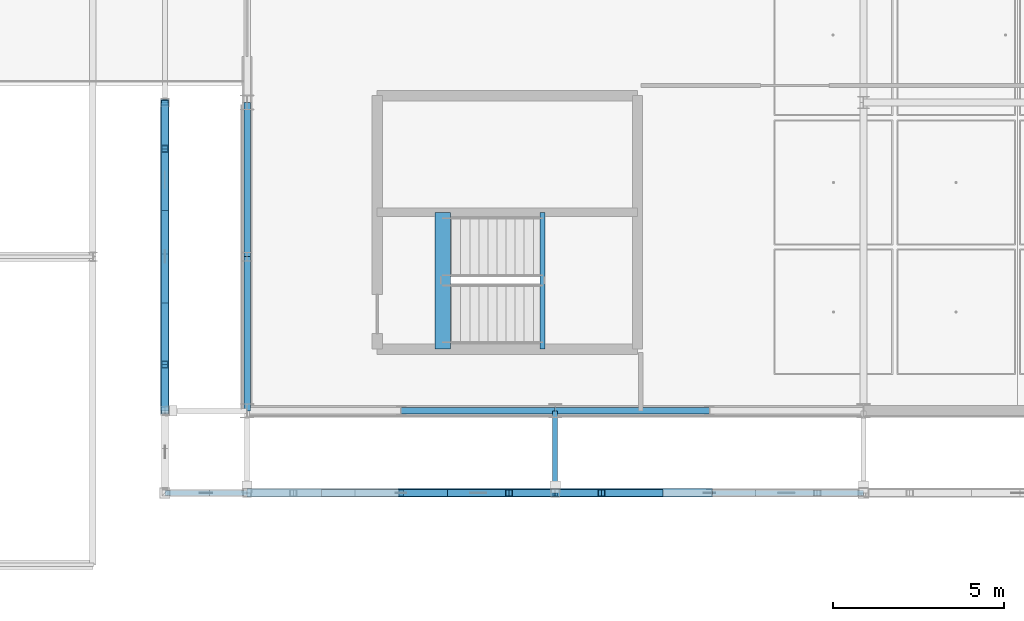
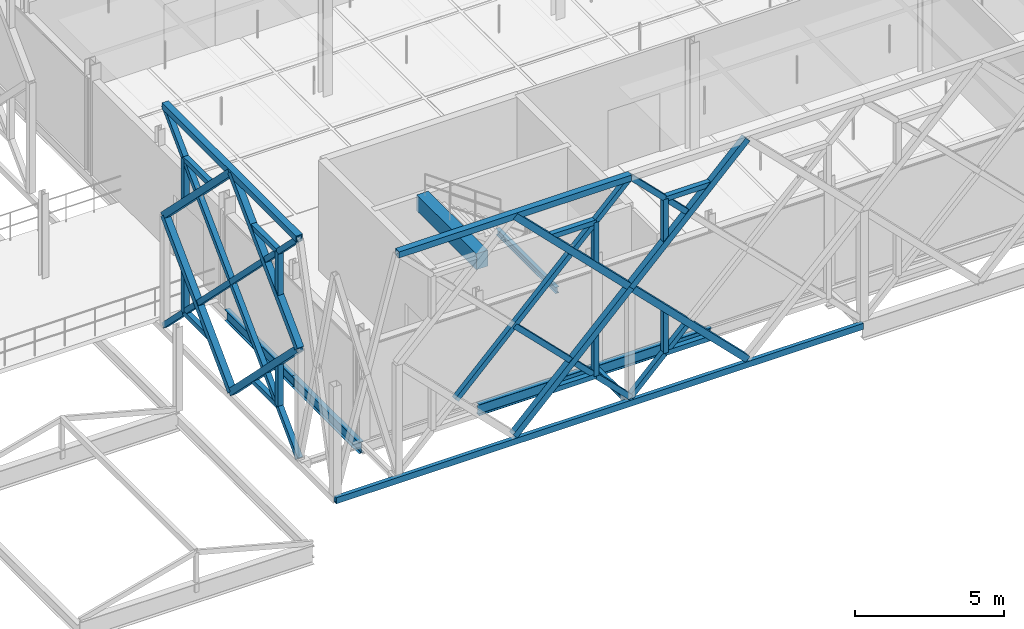
# One storey, part 21 of 140: 39 members, 8 beams.
"""IFC4 building model written with IfcOpenShell, lengths in metres."""

from ifc_helpers import new_model, si_unit, direction, frame, origin, origin_2d, place, context, subcontext, project, spatial, rectangle, hollow_rectangle, i_section, extrude, material, material_profile, profile_set, type_object, element, save


model = new_model("IFC4")

# Units and contexts
model_context = context("Model", 3, precision=1e-05, world=origin(), true_north=direction((0.0, 1.0)))
body_context = subcontext(model_context, "Body", "Model", "MODEL_VIEW")
ifc_project = project(units=[si_unit("LENGTHUNIT", "METRE"), si_unit("AREAUNIT", "SQUARE_METRE"), si_unit("VOLUMEUNIT", "CUBIC_METRE"), si_unit("PLANEANGLEUNIT", "RADIAN"), si_unit("MASSUNIT", "GRAM", prefix="KILO"), si_unit("THERMODYNAMICTEMPERATUREUNIT", "KELVIN"), si_unit("POWERUNIT", "WATT")], contexts=[model_context])

# Site, building, storey
site_placement = place(None, origin())
site = spatial("IfcSite", under=ifc_project, at=site_placement, CompositionType="ELEMENT")
building_placement = place(site_placement, origin())
building = spatial("IfcBuilding", under=site, at=building_placement, Name="Tallowbark Science Centre", CompositionType="ELEMENT")
storey_placement = place(building_placement, frame((0.0, 0.0, 9.89990234375)))
storey = spatial("IfcBuildingStorey", under=building, at=storey_placement, Name="L02", CompositionType="ELEMENT", Elevation=9.89990234375)

# Beams
ifc_material_1 = material(Name="Concrete Grade N40 (40 MPa)", Category="concrete")
ifc_material_profile_1 = material_profile(ifc_material_1, rectangle(XDim=0.449951171875, YDim=0.64990234375, at=origin_2d()), Name="RC450x650")
ifc_profile_set_1 = profile_set([ifc_material_profile_1], Name="Concrete Grade N40 (40 MPa)")
beam_type_1 = type_object("IfcBeamType", Name="BM-GB2-N40", PredefinedType="BEAM", material=ifc_profile_set_1)
beam_1_placement = place(storey_placement, frame((64.2099609375, 6.300048828125, 4.175048828125), z_axis=(0.0, 1.0, 0.0), x_axis=(-1.0, 0.0, 0.0)))
element("IfcBeam", 1, at=beam_1_placement, inside=storey, type_object=beam_type_1, Name="Stair ST-07 Landing Nosing Beam L02", PredefinedType="BEAM", context=body_context, shape_type="SweptSolid", body=[
    extrude(rectangle(XDim=0.449951171875, YDim=0.64990234375, at=origin_2d()), origin(), (0.0, 0.0, 1.0), 3.994873046875),
])
ifc_material_2 = material(Name="White Architectural Painted Steel Grade C350L0 (350 MPa)", Category="steel")
ifc_material_profile_2 = material_profile(ifc_material_2, i_section(OverallWidth=0.146484375, OverallDepth=0.256103515625, WebThickness=0.00634765625, FlangeThickness=0.010986328125, FilletRadius=0.0087890625, at=origin_2d()), Name="250UB37.3")
ifc_profile_set_2 = profile_set([ifc_material_profile_2], Name="White Architectural Painted Steel Grade C350L0 (350 MPa)")
beam_type_2 = type_object("IfcBeamType", Name="BM-OUT250", PredefinedType="BEAM", material=ifc_profile_set_2)
beam_2_placement = place(storey_placement, frame((67.5, 4.5, -0.25), z_axis=(0.0, -1.0, 0.0), x_axis=(1.0, 0.0, 0.0)))
element("IfcBeam", 2, at=beam_2_placement, inside=storey, type_object=beam_type_2, Name="Star Screen Outrigger Tie Beam S-21", PredefinedType="BEAM", context=body_context, shape_type="SweptSolid", body=[
    extrude(i_section(OverallWidth=0.146484375, OverallDepth=0.256103515625, WebThickness=0.00634765625, FlangeThickness=0.010986328125, FilletRadius=0.0087890625, at=origin_2d()), origin(), (0.0, 0.0, 1.0), 2.39990234375),
])
ifc_material_3 = material(Name="Structural Steel Grade 300PLUS (300 MPa)", Category="steel")
ifc_material_profile_3 = material_profile(ifc_material_3, i_section(OverallWidth=0.146484375, OverallDepth=0.256103515625, WebThickness=0.00634765625, FlangeThickness=0.010986328125, FilletRadius=0.0087890625, at=origin_2d()), Name="250UB37.3")
ifc_profile_set_3 = profile_set([ifc_material_profile_3], Name="Structural Steel Grade 300PLUS (300 MPa)")
beam_type_3 = type_object("IfcBeamType", Name="JST-UB250", PredefinedType="JOIST", material=ifc_profile_set_3)
beam_3_placement = place(storey_placement, frame((67.125, 6.300048828125, 1.922119140625), z_axis=(0.0, 1.0, 0.0), x_axis=(-1.0, 0.0, 0.0)))
element("IfcBeam", 3, at=beam_3_placement, inside=storey, type_object=beam_type_3, Name="Stair ST-07 Half-Landing Trimmer L02", PredefinedType="JOIST", context=body_context, shape_type="SweptSolid", body=[
    extrude(i_section(OverallWidth=0.146484375, OverallDepth=0.256103515625, WebThickness=0.00634765625, FlangeThickness=0.010986328125, FilletRadius=0.0087890625, at=origin_2d()), origin(), (0.0, 0.0, 1.0), 3.994873046875),
])

# Members
ifc_material_profile_4 = material_profile(ifc_material_2, hollow_rectangle(XDim=0.25, YDim=0.25, WallThickness=0.009033203125, at=origin_2d()), Name="250x250x9.0SHS")
ifc_profile_set_4 = profile_set([ifc_material_profile_4], Name="White Architectural Painted Steel Grade C350L0 (350 MPa)")
member_type_1 = type_object("IfcMemberType", Name="SCR-CHD200", PredefinedType="CHORD", material=ifc_profile_set_4)
member_1_placement = place(storey_placement, frame((58.5, 2.10009765625, 9.0), z_axis=(1.0, 0.0, 0.0), x_axis=(0.0, 1.0, 0.0)))
element("IfcMember", 4, at=member_1_placement, inside=storey, type_object=member_type_1, Name="Star Screen Frame Chord S-17", PredefinedType="CHORD", context=body_context, shape_type="SweptSolid", body=[
    extrude(hollow_rectangle(XDim=0.25, YDim=0.25, WallThickness=0.009033203125, at=origin_2d()), origin(), (0.0, 0.0, 1.0), 9.0),
])
for number, where, z_axis, x_axis, name in (
    (5, (63.0, 2.10009765625, 0.0), (0.707106781187, 0.0, 0.707106781187), (0.0, 1.0, 0.0), "Star Screen Octagram Diamond Chord S-17-1"),
    (6, (67.5, 2.10009765625, 4.5), (-0.707106781187, 0.0, 0.707106781187), (0.0, -1.0, 0.0), "Star Screen Octagram Diamond Chord S-17-2"),
    (7, (72.0, 2.10009765625, 9.0), (-0.707106781187, 0.0, -0.707106781187), (0.0, -1.0, 0.0), "Star Screen Octagram Diamond Chord S-19-3"),
    (8, (67.5, 2.10009765625, 4.5), (0.707106781187, 0.0, -0.707106781187), (0.0, 1.0, 0.0), "Star Screen Octagram Diamond Chord S-19-4"),
):
    element("IfcMember", number, at=place(storey_placement, frame(where, z_axis=z_axis, x_axis=x_axis)), inside=storey, type_object=member_type_1, Name=name, PredefinedType="CHORD", context=body_context, shape_type="SweptSolid", body=[
        extrude(hollow_rectangle(XDim=0.25, YDim=0.25, WallThickness=0.009033203125, at=origin_2d()), origin(), (0.0, 0.0, 1.0), 6.364013671875),
    ])
member_2_placement = place(storey_placement, frame((56.10009765625, 4.5, 9.0), z_axis=(0.0, 1.0, 0.0), x_axis=(-1.0, 0.0, 0.0)))
element("IfcMember", 9, at=member_2_placement, inside=storey, type_object=member_type_1, Name="Star Screen Frame Chord W-28", PredefinedType="CHORD", context=body_context, shape_type="SweptSolid", body=[
    extrude(hollow_rectangle(XDim=0.25, YDim=0.25, WallThickness=0.009033203125, at=origin_2d()), origin(), (0.0, 0.0, 1.0), 9.0),
])
for number, where, z_axis, x_axis, name in (
    (10, (56.10009765625, 9.0, 0.0), (0.0, 0.707106781187, 0.707106781187), (-1.0, 0.0, 0.0), "Star Screen Octagram Diamond Chord W-28-1"),
    (11, (56.10009765625, 13.5, 4.5), (0.0, -0.707106781187, 0.707106781187), (1.0, 0.0, 0.0), "Star Screen Octagram Diamond Chord W-28-2"),
    (12, (56.10009765625, 9.0, 9.0), (0.0, -0.707106781187, -0.707106781187), (1.0, 0.0, 0.0), "Star Screen Octagram Diamond Chord W-28-3"),
    (13, (56.10009765625, 4.5, 4.5), (0.0, 0.707106781187, -0.707106781187), (-1.0, 0.0, 0.0), "Star Screen Octagram Diamond Chord W-28-4"),
):
    element("IfcMember", number, at=place(storey_placement, frame(where, z_axis=z_axis, x_axis=x_axis)), inside=storey, type_object=member_type_1, Name=name, PredefinedType="CHORD", context=body_context, shape_type="SweptSolid", body=[
        extrude(hollow_rectangle(XDim=0.25, YDim=0.25, WallThickness=0.009033203125, at=origin_2d()), origin(), (0.0, 0.0, 1.0), 6.364013671875),
    ])
ifc_material_profile_5 = material_profile(ifc_material_2, hollow_rectangle(XDim=0.199951171875, YDim=0.199951171875, WallThickness=0.009033203125, at=origin_2d()), Name="200x200x9.0SHS")
ifc_profile_set_5 = profile_set([ifc_material_profile_5], Name="White Architectural Painted Steel Grade C350L0 (350 MPa)")
member_type_2 = type_object("IfcMemberType", Name="SCR-STAR139", PredefinedType="BRACE", material=ifc_profile_set_5)
member_3_placement = place(storey_placement, frame((60.75, 2.10009765625, 2.25), z_axis=(0.707106781187, 0.0, 0.707106781187), x_axis=(0.0, 1.0, 0.0)))
element("IfcMember", 14, at=member_3_placement, inside=storey, type_object=member_type_2, Name="Star Screen Continuous X-Diagonal D1M S-17", PredefinedType="BRACE", context=body_context, shape_type="SweptSolid", body=[
    extrude(hollow_rectangle(XDim=0.199951171875, YDim=0.199951171875, WallThickness=0.009033203125, at=origin_2d()), origin(), (0.0, 0.0, 1.0), 6.364013671875),
])
for number, where, z_axis, x_axis, name in (
    (15, (65.25, 2.10009765625, 6.75), (0.707106781187, 0.0, 0.707106781187), (0.0, 1.0, 0.0), "Star Screen Continuous X-Diagonal D1B S-17"),
    (16, (63.0, 2.10009765625, 4.5), (0.707106781187, 0.0, -0.707106781187), (0.0, 1.0, 0.0), "Star Screen Split X-Diagonal D2C S-17"),
    (17, (65.25, 2.10009765625, 2.25), (0.707106781187, 0.0, -0.707106781187), (0.0, 1.0, 0.0), "Star Screen Split X-Diagonal D2D S-17"),
    (18, (67.5, 2.10009765625, 0.0), (0.707106781187, 0.0, 0.707106781187), (0.0, 1.0, 0.0), "Star Screen Continuous X-Diagonal D1A S-19"),
    (19, (67.5, 2.10009765625, 9.0), (0.707106781187, 0.0, -0.707106781187), (0.0, 1.0, 0.0), "Star Screen Split X-Diagonal D2A S-19"),
    (20, (56.10009765625, 4.5, 0.0), (0.0, 0.707106781187, 0.707106781187), (-1.0, 0.0, 0.0), "Star Screen Continuous X-Diagonal D1A W-28"),
):
    element("IfcMember", number, at=place(storey_placement, frame(where, z_axis=z_axis, x_axis=x_axis)), inside=storey, type_object=member_type_2, Name=name, PredefinedType="BRACE", context=body_context, shape_type="SweptSolid", body=[
        extrude(hollow_rectangle(XDim=0.199951171875, YDim=0.199951171875, WallThickness=0.009033203125, at=origin_2d()), origin(), (0.0, 0.0, 1.0), 3.181884765625),
    ])
member_4_placement = place(storey_placement, frame((56.10009765625, 6.75, 2.25), z_axis=(0.0, 0.707106781187, 0.707106781187), x_axis=(-1.0, 0.0, 0.0)))
element("IfcMember", 21, at=member_4_placement, inside=storey, type_object=member_type_2, Name="Star Screen Continuous X-Diagonal D1M W-28", PredefinedType="BRACE", context=body_context, shape_type="SweptSolid", body=[
    extrude(hollow_rectangle(XDim=0.199951171875, YDim=0.199951171875, WallThickness=0.009033203125, at=origin_2d()), origin(), (0.0, 0.0, 1.0), 6.364013671875),
])
for number, where, z_axis, x_axis, name in (
    (22, (56.10009765625, 11.25, 6.75), (0.0, 0.707106781187, 0.707106781187), (-1.0, 0.0, 0.0), "Star Screen Continuous X-Diagonal D1B W-28"),
    (23, (56.10009765625, 4.5, 9.0), (0.0, 0.707106781187, -0.707106781187), (-1.0, 0.0, 0.0), "Star Screen Split X-Diagonal D2A W-28"),
    (24, (56.10009765625, 6.75, 6.75), (0.0, 0.707106781187, -0.707106781187), (-1.0, 0.0, 0.0), "Star Screen Split X-Diagonal D2B W-28"),
    (25, (56.10009765625, 9.0, 4.5), (0.0, 0.707106781187, -0.707106781187), (-1.0, 0.0, 0.0), "Star Screen Split X-Diagonal D2C W-28"),
    (26, (56.10009765625, 11.25, 2.25), (0.0, 0.707106781187, -0.707106781187), (-1.0, 0.0, 0.0), "Star Screen Split X-Diagonal D2D W-28"),
):
    element("IfcMember", number, at=place(storey_placement, frame(where, z_axis=z_axis, x_axis=x_axis)), inside=storey, type_object=member_type_2, Name=name, PredefinedType="BRACE", context=body_context, shape_type="SweptSolid", body=[
        extrude(hollow_rectangle(XDim=0.199951171875, YDim=0.199951171875, WallThickness=0.009033203125, at=origin_2d()), origin(), (0.0, 0.0, 1.0), 3.181884765625),
    ])
ifc_material_profile_6 = material_profile(ifc_material_2, hollow_rectangle(XDim=0.199951171875, YDim=0.199951171875, WallThickness=0.009033203125, at=origin_2d()), Name="200x200x9.0SHS")
ifc_profile_set_6 = profile_set([ifc_material_profile_6], Name="White Architectural Painted Steel Grade C350L0 (350 MPa)")
member_type_3 = type_object("IfcMemberType", Name="SCR-SUB150", PredefinedType="BRACE", material=ifc_profile_set_6)
member_5_placement = place(storey_placement, frame((66.14990234375, 2.10009765625, 1.35009765625), z_axis=(-1.0, 0.0, 0.0), x_axis=(0.0, -1.0, 0.0)))
element("IfcMember", 27, at=member_5_placement, inside=storey, type_object=member_type_3, Name="Star Screen Octagram Point Ray S-17-3", PredefinedType="BRACE", context=body_context, shape_type="SweptSolid", body=[
    extrude(hollow_rectangle(XDim=0.199951171875, YDim=0.199951171875, WallThickness=0.009033203125, at=origin_2d()), origin(), (0.0, 0.0, 1.0), 1.7998046875),
])
member_6_placement = place(storey_placement, frame((66.14990234375, 2.10009765625, 1.35009765625), z_axis=(0.0, 0.0, 1.0), x_axis=(1.0, 0.0, 0.0)))
element("IfcMember", 28, at=member_6_placement, inside=storey, type_object=member_type_3, Name="Star Screen Octagram Point Ray S-17-4", PredefinedType="BRACE", context=body_context, shape_type="SweptSolid", body=[
    extrude(hollow_rectangle(XDim=0.199951171875, YDim=0.199951171875, WallThickness=0.009033203125, at=origin_2d()), origin(), (0.0, 0.0, 1.0), 1.800048828125),
])
member_7_placement = place(storey_placement, frame((66.14990234375, 2.10009765625, 7.650146484375), z_axis=(-1.0, 0.0, 0.0), x_axis=(0.0, -1.0, 0.0)))
element("IfcMember", 29, at=member_7_placement, inside=storey, type_object=member_type_3, Name="Star Screen Octagram Point Ray S-17-5", PredefinedType="BRACE", context=body_context, shape_type="SweptSolid", body=[
    extrude(hollow_rectangle(XDim=0.199951171875, YDim=0.199951171875, WallThickness=0.009033203125, at=origin_2d()), origin(), (0.0, 0.0, 1.0), 1.7998046875),
])
member_8_placement = place(storey_placement, frame((66.14990234375, 2.10009765625, 7.650146484375), z_axis=(0.0, 0.0, -1.0), x_axis=(1.0, 0.0, 0.0)))
element("IfcMember", 30, at=member_8_placement, inside=storey, type_object=member_type_3, Name="Star Screen Octagram Point Ray S-17-6", PredefinedType="BRACE", context=body_context, shape_type="SweptSolid", body=[
    extrude(hollow_rectangle(XDim=0.199951171875, YDim=0.199951171875, WallThickness=0.009033203125, at=origin_2d()), origin(), (0.0, 0.0, 1.0), 1.800048828125),
])
member_9_placement = place(storey_placement, frame((68.85009765625, 2.10009765625, 1.35009765625), z_axis=(1.0, 0.0, 0.0), x_axis=(0.0, 1.0, 0.0)))
element("IfcMember", 31, at=member_9_placement, inside=storey, type_object=member_type_3, Name="Star Screen Octagram Point Ray S-19-1", PredefinedType="BRACE", context=body_context, shape_type="SweptSolid", body=[
    extrude(hollow_rectangle(XDim=0.199951171875, YDim=0.199951171875, WallThickness=0.009033203125, at=origin_2d()), origin(), (0.0, 0.0, 1.0), 1.7998046875),
])
member_10_placement = place(storey_placement, frame((68.85009765625, 2.10009765625, 1.35009765625), z_axis=(0.0, 0.0, 1.0), x_axis=(1.0, 0.0, 0.0)))
element("IfcMember", 32, at=member_10_placement, inside=storey, type_object=member_type_3, Name="Star Screen Octagram Point Ray S-19-2", PredefinedType="BRACE", context=body_context, shape_type="SweptSolid", body=[
    extrude(hollow_rectangle(XDim=0.199951171875, YDim=0.199951171875, WallThickness=0.009033203125, at=origin_2d()), origin(), (0.0, 0.0, 1.0), 1.800048828125),
])
member_11_placement = place(storey_placement, frame((68.85009765625, 2.10009765625, 7.650146484375), z_axis=(1.0, 0.0, 0.0), x_axis=(0.0, 1.0, 0.0)))
element("IfcMember", 33, at=member_11_placement, inside=storey, type_object=member_type_3, Name="Star Screen Octagram Point Ray S-19-7", PredefinedType="BRACE", context=body_context, shape_type="SweptSolid", body=[
    extrude(hollow_rectangle(XDim=0.199951171875, YDim=0.199951171875, WallThickness=0.009033203125, at=origin_2d()), origin(), (0.0, 0.0, 1.0), 1.7998046875),
])
member_12_placement = place(storey_placement, frame((68.85009765625, 2.10009765625, 7.650146484375), z_axis=(0.0, 0.0, -1.0), x_axis=(1.0, 0.0, 0.0)))
element("IfcMember", 34, at=member_12_placement, inside=storey, type_object=member_type_3, Name="Star Screen Octagram Point Ray S-19-8", PredefinedType="BRACE", context=body_context, shape_type="SweptSolid", body=[
    extrude(hollow_rectangle(XDim=0.199951171875, YDim=0.199951171875, WallThickness=0.009033203125, at=origin_2d()), origin(), (0.0, 0.0, 1.0), 1.800048828125),
])
member_13_placement = place(storey_placement, frame((56.10009765625, 5.85009765625, 1.35009765625), z_axis=(0.0, 1.0, 0.0), x_axis=(-1.0, 0.0, 0.0)))
element("IfcMember", 35, at=member_13_placement, inside=storey, type_object=member_type_3, Name="Star Screen Octagram Point Ray W-28-1", PredefinedType="BRACE", context=body_context, shape_type="SweptSolid", body=[
    extrude(hollow_rectangle(XDim=0.199951171875, YDim=0.199951171875, WallThickness=0.009033203125, at=origin_2d()), origin(), (0.0, 0.0, 1.0), 1.7998046875),
])
member_14_placement = place(storey_placement, frame((56.10009765625, 5.85009765625, 1.35009765625), z_axis=(0.0, 0.0, 1.0), x_axis=(1.0, 0.0, 0.0)))
element("IfcMember", 36, at=member_14_placement, inside=storey, type_object=member_type_3, Name="Star Screen Octagram Point Ray W-28-2", PredefinedType="BRACE", context=body_context, shape_type="SweptSolid", body=[
    extrude(hollow_rectangle(XDim=0.199951171875, YDim=0.199951171875, WallThickness=0.009033203125, at=origin_2d()), origin(), (0.0, 0.0, 1.0), 1.800048828125),
])
member_15_placement = place(storey_placement, frame((56.10009765625, 12.14990234375, 1.35009765625), z_axis=(0.0, -1.0, 0.0), x_axis=(1.0, 0.0, 0.0)))
element("IfcMember", 37, at=member_15_placement, inside=storey, type_object=member_type_3, Name="Star Screen Octagram Point Ray W-28-3", PredefinedType="BRACE", context=body_context, shape_type="SweptSolid", body=[
    extrude(hollow_rectangle(XDim=0.199951171875, YDim=0.199951171875, WallThickness=0.009033203125, at=origin_2d()), origin(), (0.0, 0.0, 1.0), 1.7998046875),
])
member_16_placement = place(storey_placement, frame((56.10009765625, 12.14990234375, 1.35009765625), z_axis=(0.0, 0.0, 1.0), x_axis=(1.0, 0.0, 0.0)))
element("IfcMember", 38, at=member_16_placement, inside=storey, type_object=member_type_3, Name="Star Screen Octagram Point Ray W-28-4", PredefinedType="BRACE", context=body_context, shape_type="SweptSolid", body=[
    extrude(hollow_rectangle(XDim=0.199951171875, YDim=0.199951171875, WallThickness=0.009033203125, at=origin_2d()), origin(), (0.0, 0.0, 1.0), 1.800048828125),
])
member_17_placement = place(storey_placement, frame((56.10009765625, 12.14990234375, 7.650146484375), z_axis=(0.0, -1.0, 0.0), x_axis=(1.0, 0.0, 0.0)))
element("IfcMember", 39, at=member_17_placement, inside=storey, type_object=member_type_3, Name="Star Screen Octagram Point Ray W-28-5", PredefinedType="BRACE", context=body_context, shape_type="SweptSolid", body=[
    extrude(hollow_rectangle(XDim=0.199951171875, YDim=0.199951171875, WallThickness=0.009033203125, at=origin_2d()), origin(), (0.0, 0.0, 1.0), 1.7998046875),
])
member_18_placement = place(storey_placement, frame((56.10009765625, 12.14990234375, 7.650146484375), z_axis=(0.0, 0.0, -1.0), x_axis=(1.0, 0.0, 0.0)))
element("IfcMember", 40, at=member_18_placement, inside=storey, type_object=member_type_3, Name="Star Screen Octagram Point Ray W-28-6", PredefinedType="BRACE", context=body_context, shape_type="SweptSolid", body=[
    extrude(hollow_rectangle(XDim=0.199951171875, YDim=0.199951171875, WallThickness=0.009033203125, at=origin_2d()), origin(), (0.0, 0.0, 1.0), 1.800048828125),
])
member_19_placement = place(storey_placement, frame((56.10009765625, 5.85009765625, 7.650146484375), z_axis=(0.0, 1.0, 0.0), x_axis=(-1.0, 0.0, 0.0)))
element("IfcMember", 41, at=member_19_placement, inside=storey, type_object=member_type_3, Name="Star Screen Octagram Point Ray W-28-7", PredefinedType="BRACE", context=body_context, shape_type="SweptSolid", body=[
    extrude(hollow_rectangle(XDim=0.199951171875, YDim=0.199951171875, WallThickness=0.009033203125, at=origin_2d()), origin(), (0.0, 0.0, 1.0), 1.7998046875),
])
member_20_placement = place(storey_placement, frame((56.10009765625, 5.85009765625, 7.650146484375), z_axis=(0.0, 0.0, -1.0), x_axis=(1.0, 0.0, 0.0)))
element("IfcMember", 42, at=member_20_placement, inside=storey, type_object=member_type_3, Name="Star Screen Octagram Point Ray W-28-8", PredefinedType="BRACE", context=body_context, shape_type="SweptSolid", body=[
    extrude(hollow_rectangle(XDim=0.199951171875, YDim=0.199951171875, WallThickness=0.009033203125, at=origin_2d()), origin(), (0.0, 0.0, 1.0), 1.800048828125),
])

# Beams
ifc_material_profile_7 = material_profile(ifc_material_2, hollow_rectangle(XDim=0.14990234375, YDim=0.25, WallThickness=0.009033203125, at=origin_2d()), Name="250x150x9.0RHS")
ifc_profile_set_7 = profile_set([ifc_material_profile_7], Name="White Architectural Painted Steel Grade C350L0 (350 MPa)")
beam_type_4 = type_object("IfcBeamType", Name="SPN-RHS250", PredefinedType="SPANDREL", material=ifc_profile_set_7)
beam_4_placement = place(storey_placement, frame((56.10009765625, 2.10009765625, -0.25), z_axis=(1.0, 0.0, 0.0), x_axis=(0.0, 1.0, 0.0)))
element("IfcBeam", 43, at=beam_4_placement, inside=storey, type_object=beam_type_4, Name="Star Screen Perimeter Ring Beam S-L02", PredefinedType="SPANDREL", context=body_context, shape_type="SweptSolid", body=[
    extrude(hollow_rectangle(XDim=0.14990234375, YDim=0.25, WallThickness=0.009033203125, at=origin_2d()), origin(), (0.0, 0.0, 1.0), 20.39990234375),
])
ifc_material_profile_8 = material_profile(ifc_material_3, i_section(OverallWidth=0.18994140625, OverallDepth=0.453857421875, WebThickness=0.008544921875, FlangeThickness=0.0126953125, FilletRadius=0.011474609375, at=origin_2d()), Name="460UB67.1")
ifc_profile_set_8 = profile_set([ifc_material_profile_8], Name="Structural Steel Grade 300PLUS (300 MPa)")
beam_type_5 = type_object("IfcBeamType", Name="SPN-UB460", PredefinedType="SPANDREL", material=ifc_profile_set_8)
for number, where, z_axis, x_axis, name in (
    (44, (63.0, 4.5, -0.40673828125), (1.0, 0.0, 0.0), (0.0, 1.0, 0.0), "Primary Girder GRDX-L02-630-675-45"),
    (45, (67.5, 4.5, -0.40673828125), (1.0, 0.0, 0.0), (0.0, 1.0, 0.0), "Primary Girder GRDX-L02-675-720-45"),
    (46, (58.5, 4.5, -0.40673828125), (0.0, 1.0, 0.0), (-1.0, 0.0, 0.0), "Primary Girder GRDY-L02-585-45-90"),
    (47, (58.5, 9.0, -0.40673828125), (0.0, 1.0, 0.0), (-1.0, 0.0, 0.0), "Primary Girder GRDY-L02-585-90-135"),
):
    element("IfcBeam", number, at=place(storey_placement, frame(where, z_axis=z_axis, x_axis=x_axis)), inside=storey, type_object=beam_type_5, Name=name, PredefinedType="SPANDREL", context=body_context, shape_type="SweptSolid", body=[
        extrude(i_section(OverallWidth=0.18994140625, OverallDepth=0.453857421875, WebThickness=0.008544921875, FlangeThickness=0.0126953125, FilletRadius=0.011474609375, at=origin_2d()), origin(), (0.0, 0.0, 1.0), 4.5),
    ])

save(model, "model.ifc")
